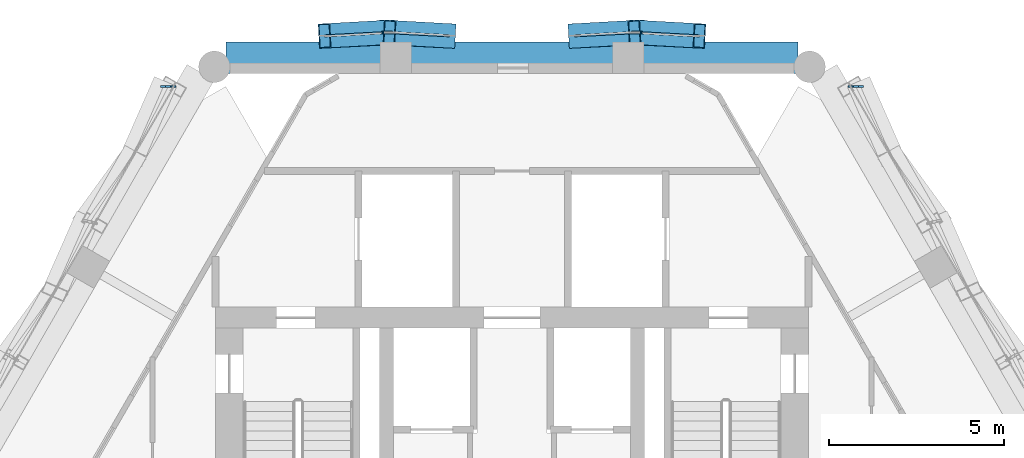
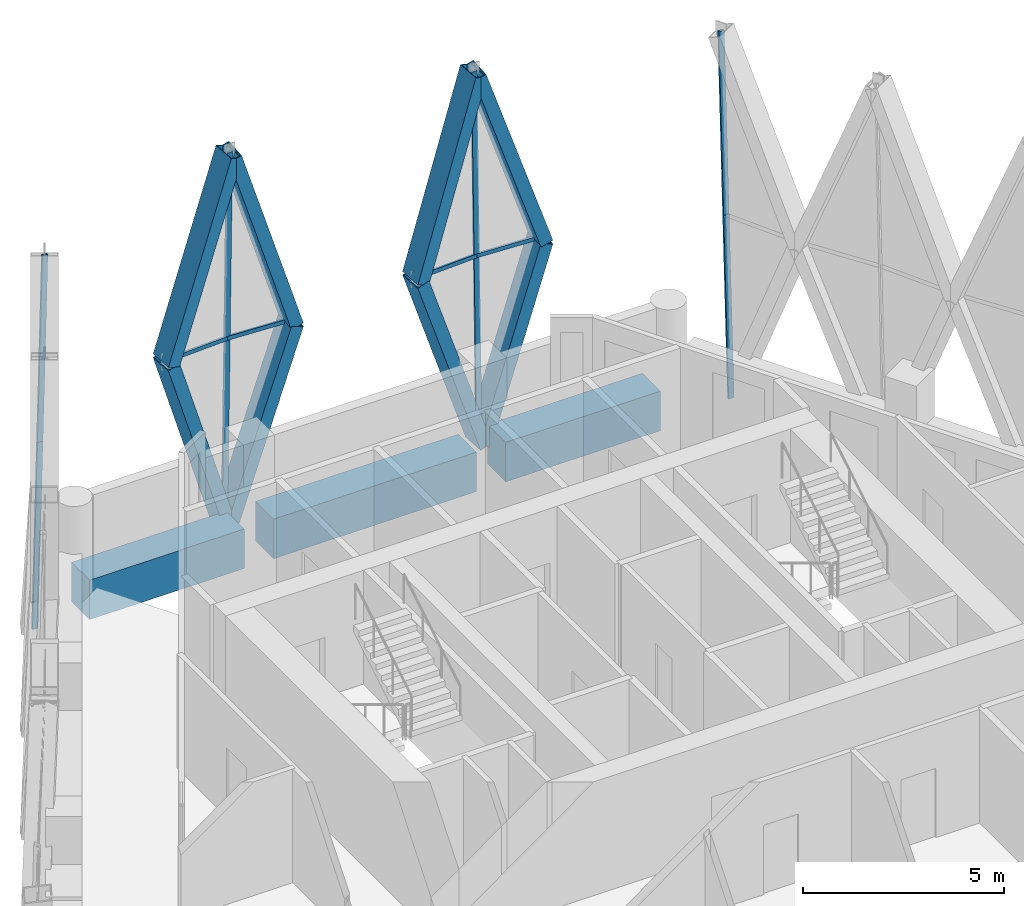
# One storey, part 9 of 21: 20 members, 3 beams, 4 elements without a shape of their own.
"""IFC4 building model written with IfcOpenShell, lengths in metres."""

from ifc_helpers import new_model, si_unit, direction, frame, origin, origin_2d, place, context, subcontext, project, spatial, rectangle, hollow_rectangle, extrude, material, material_profile, profile_set, type_object, element, aggregate, save


model = new_model("IFC4")

# Units and contexts
model_context = context("Model", 3, precision=1e-05, world=origin(), true_north=direction((0.0, 1.0)))
body_context = subcontext(model_context, "Body", "Model", "MODEL_VIEW")
ifc_project = project(units=[si_unit("LENGTHUNIT", "METRE"), si_unit("AREAUNIT", "SQUARE_METRE"), si_unit("VOLUMEUNIT", "CUBIC_METRE"), si_unit("PLANEANGLEUNIT", "RADIAN"), si_unit("MASSUNIT", "GRAM", prefix="KILO")], contexts=[model_context])

# Site, building, storey
site_placement = place(None, origin())
site = spatial("IfcSite", under=ifc_project, at=site_placement, CompositionType="ELEMENT")
building_placement = place(site_placement, origin())
building = spatial("IfcBuilding", under=site, at=building_placement, Name="Ostrander Bayou Hotel Tower", CompositionType="ELEMENT")
storey_placement = place(building_placement, frame((0.0, 0.0, 256.25)))
storey = spatial("IfcBuildingStorey", under=building, at=storey_placement, Name="L63", CompositionType="ELEMENT", Elevation=256.25)

# Curtain wall, members
ifc_material_1 = material(Name="Aluminium and clear glass", Category="aluminium")
curtain_wall_type = type_object("IfcCurtainWallType", Name="CW-LAT lattice glazing", PredefinedType="NOTDEFINED", material=ifc_material_1)
curtain_wall_1_placement = place(storey_placement, origin())
curtain_wall_1 = element("IfcCurtainWall", 1, at=curtain_wall_1_placement, inside=storey, type_object=curtain_wall_type, Name="CW-LAT L63 N 1", PredefinedType="NOTDEFINED")
ifc_material_2 = material(Name="Aluminium", Category="aluminium")
ifc_material_profile_1 = material_profile(ifc_material_2, hollow_rectangle(XDim=0.06005859375, YDim=0.159912109375, WallThickness=0.00390625, at=origin_2d()))
ifc_profile_set_1 = profile_set([ifc_material_profile_1], Name="Aluminium")
member_type_1 = type_object("IfcMemberType", Name="CW-LA mullion 60 x 160 mm", PredefinedType="MULLION", material=ifc_profile_set_1)
member_1_placement = place(storey_placement, frame((3.650390625, 17.570068359375, -0.60009765625), z_axis=(-0.012629201055, 0.0, 0.99992024846), x_axis=(0.0, -1.0, 0.0)))
member_1 = element("IfcMember", 2, at=member_1_placement, type_object=member_type_1, Name="CW-LAT mullion 1", PredefinedType="MULLION", context=body_context, shape_type="SweptSolid", body=[
    extrude(hollow_rectangle(XDim=0.06005859375, YDim=0.159912109375, WallThickness=0.00390625, at=origin_2d()), origin(), (0.0, 0.0, 1.0), 5.62548828125),
])
member_2_placement = place(storey_placement, frame((3.579345703125, 17.570068359375, 5.02490234375), z_axis=(-0.012585808625, 0.0, 0.999920795574), x_axis=(0.0, -1.0, 0.0)))
member_2 = element("IfcMember", 3, at=member_2_placement, type_object=member_type_1, Name="CW-LAT mullion 2", PredefinedType="MULLION", context=body_context, shape_type="SweptSolid", body=[
    extrude(hollow_rectangle(XDim=0.06005859375, YDim=0.159912109375, WallThickness=0.00390625, at=origin_2d()), origin(), (0.0, 0.0, 1.0), 5.62548828125),
])
member_3_placement = place(storey_placement, frame((-3.650390625, 17.570068359375, -0.60009765625), z_axis=(0.012629201055, 0.0, 0.99992024846), x_axis=(0.0, 1.0, 0.0)))
member_3 = element("IfcMember", 4, at=member_3_placement, type_object=member_type_1, Name="CW-LAT mullion 5", PredefinedType="MULLION", context=body_context, shape_type="SweptSolid", body=[
    extrude(hollow_rectangle(XDim=0.06005859375, YDim=0.159912109375, WallThickness=0.00390625, at=origin_2d()), origin(), (0.0, 0.0, 1.0), 5.62548828125),
])
member_4_placement = place(storey_placement, frame((-3.579345703125, 17.570068359375, 5.02490234375), z_axis=(0.012585808625, 0.0, 0.999920795574), x_axis=(0.0, 1.0, 0.0)))
member_4 = element("IfcMember", 5, at=member_4_placement, type_object=member_type_1, Name="CW-LAT mullion 6", PredefinedType="MULLION", context=body_context, shape_type="SweptSolid", body=[
    extrude(hollow_rectangle(XDim=0.06005859375, YDim=0.159912109375, WallThickness=0.00390625, at=origin_2d()), origin(), (0.0, 0.0, 1.0), 5.62548828125),
])
aggregate(curtain_wall_1, [member_1, member_2, member_3, member_4])

curtain_wall_2_placement = place(storey_placement, origin())
curtain_wall_2 = element("IfcCurtainWall", 6, at=curtain_wall_2_placement, inside=storey, type_object=curtain_wall_type, Name="CW-LAT L63 NW 1", PredefinedType="NOTDEFINED")
member_5_placement = place(storey_placement, frame((-9.98779296875, 16.0185546875, -0.60009765625), z_axis=(0.025165638507, 0.0, 0.999683295168), x_axis=(0.0, 1.0, 0.0)))
member_5 = element("IfcMember", 7, at=member_5_placement, type_object=member_type_1, Name="CW-LAT mullion 1", PredefinedType="MULLION", context=body_context, shape_type="SweptSolid", body=[
    extrude(hollow_rectangle(XDim=0.06005859375, YDim=0.159912109375, WallThickness=0.00390625, at=origin_2d()), origin(), (0.0, 0.0, 1.0), 5.626708984375),
])
member_6_placement = place(storey_placement, frame((-9.84619140625, 16.0185546875, 5.02490234375), z_axis=(0.025208999989, 0.0, 0.999682202662), x_axis=(0.0, 1.0, 0.0)))
member_6 = element("IfcMember", 8, at=member_6_placement, type_object=member_type_1, Name="CW-LAT mullion 2", PredefinedType="MULLION", context=body_context, shape_type="SweptSolid", body=[
    extrude(hollow_rectangle(XDim=0.06005859375, YDim=0.159912109375, WallThickness=0.00390625, at=origin_2d()), origin(), (0.0, 0.0, 1.0), 5.626708984375),
])
aggregate(curtain_wall_2, [member_5, member_6])

curtain_wall_3_placement = place(storey_placement, origin())
curtain_wall_3 = element("IfcCurtainWall", 9, at=curtain_wall_3_placement, inside=storey, type_object=curtain_wall_type, Name="CW-LAT L63 NE 1", PredefinedType="NOTDEFINED")
member_7_placement = place(storey_placement, frame((9.98779296875, 16.0185546875, -0.60009765625), z_axis=(-0.025165638507, 0.0, 0.999683295168), x_axis=(0.0, -1.0, 0.0)))
member_7 = element("IfcMember", 10, at=member_7_placement, type_object=member_type_1, Name="CW-LAT mullion 16", PredefinedType="MULLION", context=body_context, shape_type="SweptSolid", body=[
    extrude(hollow_rectangle(XDim=0.06005859375, YDim=0.159912109375, WallThickness=0.00390625, at=origin_2d()), origin(), (0.0, 0.0, 1.0), 5.626708984375),
])
member_8_placement = place(storey_placement, frame((9.84619140625, 16.0185546875, 5.02490234375), z_axis=(-0.025208999989, 0.0, 0.999682202662), x_axis=(0.0, -1.0, 0.0)))
member_8 = element("IfcMember", 11, at=member_8_placement, type_object=member_type_1, Name="CW-LAT mullion 17", PredefinedType="MULLION", context=body_context, shape_type="SweptSolid", body=[
    extrude(hollow_rectangle(XDim=0.06005859375, YDim=0.159912109375, WallThickness=0.00390625, at=origin_2d()), origin(), (0.0, 0.0, 1.0), 5.626708984375),
])
aggregate(curtain_wall_3, [member_7, member_8])

curtain_wall_4_placement = place(storey_placement, origin())
curtain_wall_4 = element("IfcCurtainWall", 12, at=curtain_wall_4_placement, inside=storey, type_object=curtain_wall_type, Name="CW-LAT L63 N 2", PredefinedType="NOTDEFINED")
ifc_material_3 = material(Name="Aluminium", Category="aluminium")
ifc_material_profile_2 = material_profile(ifc_material_3, hollow_rectangle(XDim=0.06005859375, YDim=0.1201171875, WallThickness=0.00390625, at=origin_2d()))
ifc_profile_set_2 = profile_set([ifc_material_profile_2], Name="Aluminium")
member_type_2 = type_object("IfcMemberType", Name="CW-LA transom 60 x 120 mm", PredefinedType="USERDEFINED", material=ifc_profile_set_2)
member_9_placement = place(storey_placement, frame((3.579345703125, 17.570068359375, 5.02490234375), z_axis=(0.998573454546, -0.053395279523, 0.0), x_axis=(0.053395279523, 0.998573454546, 0.0)))
member_9 = element("IfcMember", 13, at=member_9_placement, type_object=member_type_2, Name="CW-LAT transom 3", ObjectType="TRANSOM", PredefinedType="USERDEFINED", context=body_context, shape_type="SweptSolid", body=[
    extrude(hollow_rectangle(XDim=0.06005859375, YDim=0.1201171875, WallThickness=0.00390625, at=origin_2d()), origin(), (0.0, 0.0, 1.0), 1.792236328125),
])
member_10_placement = place(storey_placement, frame((3.579345703125, 17.570068359375, 5.02490234375), z_axis=(-0.998573066118, -0.053402543236, 0.0), x_axis=(0.053402543236, -0.998573066118, 0.0)))
member_10 = element("IfcMember", 14, at=member_10_placement, type_object=member_type_2, Name="CW-LAT transom 4", ObjectType="TRANSOM", PredefinedType="USERDEFINED", context=body_context, shape_type="SweptSolid", body=[
    extrude(hollow_rectangle(XDim=0.06005859375, YDim=0.1201171875, WallThickness=0.00390625, at=origin_2d()), origin(), (0.0, 0.0, 1.0), 1.7919921875),
])
member_11_placement = place(storey_placement, frame((-3.579345703125, 17.570068359375, 5.02490234375), z_axis=(0.998573066118, -0.053402543236, 0.0), x_axis=(0.053402543236, 0.998573066118, 0.0)))
member_11 = element("IfcMember", 15, at=member_11_placement, type_object=member_type_2, Name="CW-LAT transom 7", ObjectType="TRANSOM", PredefinedType="USERDEFINED", context=body_context, shape_type="SweptSolid", body=[
    extrude(hollow_rectangle(XDim=0.06005859375, YDim=0.1201171875, WallThickness=0.00390625, at=origin_2d()), origin(), (0.0, 0.0, 1.0), 1.7919921875),
])
member_12_placement = place(storey_placement, frame((-3.579345703125, 17.570068359375, 5.02490234375), z_axis=(-0.998573454546, -0.053395279523, 0.0), x_axis=(0.053395279523, -0.998573454546, 0.0)))
member_12 = element("IfcMember", 16, at=member_12_placement, type_object=member_type_2, Name="CW-LAT transom 8", ObjectType="TRANSOM", PredefinedType="USERDEFINED", context=body_context, shape_type="SweptSolid", body=[
    extrude(hollow_rectangle(XDim=0.06005859375, YDim=0.1201171875, WallThickness=0.00390625, at=origin_2d()), origin(), (0.0, 0.0, 1.0), 1.792236328125),
])
aggregate(curtain_wall_4, [member_9, member_10, member_11, member_12])

# Members
ifc_material_4 = material(Name="Steel ASTM A572 Gr 50", Category="steel")
ifc_material_profile_3 = material_profile(ifc_material_4, hollow_rectangle(XDim=0.699951171875, YDim=0.35009765625, WallThickness=0.02490234375, at=origin_2d()))
ifc_profile_set_3 = profile_set([ifc_material_profile_3], Name="Steel ASTM A572 Gr 50")
member_type_3 = type_object("IfcMemberType", Name="LT1 lattice member box 700 x 350 x 25 mm", PredefinedType="BRACE", material=ifc_profile_set_3)
member_13_placement = place(storey_placement, frame((5.369140625, 17.474365234375, 5.02490234375), z_axis=(-0.292179860283, 0.016269105857, -0.956224997289), x_axis=(-0.055595698627, -0.998453363104, 0.0)))
element("IfcMember", 17, at=member_13_placement, inside=storey, type_object=member_type_3, Name="LT1 L63 N 1", PredefinedType="BRACE", context=body_context, shape_type="SweptSolid", body=[
    extrude(hollow_rectangle(XDim=0.699951171875, YDim=0.35009765625, WallThickness=0.02490234375, at=origin_2d()), origin(), (0.0, 0.0, 1.0), 5.882568359375),
])
for number, where, z_axis, x_axis, name in (
    (18, (5.369140625, 17.474365234375, 5.02490234375), (-0.313997869011, 0.016151051654, 0.949286301274), (-0.05136890965, -0.998679746025, 0.0), "LT1 L63 N 2"),
    (19, (1.789794921875, 17.474365234375, 5.02490234375), (0.313997869011, 0.016151051654, -0.949286301274), (-0.05136890965, 0.998679746025, 0.0), "LT1 L63 N 3"),
):
    element("IfcMember", number, at=place(storey_placement, frame(where, z_axis=z_axis, x_axis=x_axis)), inside=storey, type_object=member_type_3, Name=name, PredefinedType="BRACE", context=body_context, shape_type="SweptSolid", body=[
        extrude(hollow_rectangle(XDim=0.699951171875, YDim=0.35009765625, WallThickness=0.02490234375, at=origin_2d()), origin(), (0.0, 0.0, 1.0), 5.925537109375),
    ])
member_14_placement = place(storey_placement, frame((1.789794921875, 17.474365234375, 5.02490234375), z_axis=(0.292179860283, 0.016269105857, 0.956224997289), x_axis=(-0.055595698627, 0.998453363104, 0.0)))
element("IfcMember", 20, at=member_14_placement, inside=storey, type_object=member_type_3, Name="LT1 L63 N 4", PredefinedType="BRACE", context=body_context, shape_type="SweptSolid", body=[
    extrude(hollow_rectangle(XDim=0.699951171875, YDim=0.35009765625, WallThickness=0.02490234375, at=origin_2d()), origin(), (0.0, 0.0, 1.0), 5.882568359375),
])
member_15_placement = place(storey_placement, frame((-1.789794921875, 17.474365234375, 5.02490234375), z_axis=(-0.313997869011, 0.016151051654, -0.949286301274), x_axis=(-0.05136890965, -0.998679746025, 0.0)))
element("IfcMember", 21, at=member_15_placement, inside=storey, type_object=member_type_3, Name="LT1 L63 N 5", PredefinedType="BRACE", context=body_context, shape_type="SweptSolid", body=[
    extrude(hollow_rectangle(XDim=0.699951171875, YDim=0.35009765625, WallThickness=0.02490234375, at=origin_2d()), origin(), (0.0, 0.0, 1.0), 5.925537109375),
])
for number, where, z_axis, x_axis, name in (
    (22, (-1.789794921875, 17.474365234375, 5.02490234375), (-0.292179860283, 0.016269105857, 0.956224997289), (-0.055595698627, -0.998453363104, 0.0), "LT1 L63 N 6"),
    (23, (-5.369140625, 17.474365234375, 5.02490234375), (0.292179860283, 0.016269105857, -0.956224997289), (-0.055595698627, 0.998453363104, 0.0), "LT1 L63 N 7"),
):
    element("IfcMember", number, at=place(storey_placement, frame(where, z_axis=z_axis, x_axis=x_axis)), inside=storey, type_object=member_type_3, Name=name, PredefinedType="BRACE", context=body_context, shape_type="SweptSolid", body=[
        extrude(hollow_rectangle(XDim=0.699951171875, YDim=0.35009765625, WallThickness=0.02490234375, at=origin_2d()), origin(), (0.0, 0.0, 1.0), 5.882568359375),
    ])
member_16_placement = place(storey_placement, frame((-5.369140625, 17.474365234375, 5.02490234375), z_axis=(0.313997869011, 0.016151051654, 0.949286301274), x_axis=(-0.05136890965, 0.998679746025, 0.0)))
element("IfcMember", 24, at=member_16_placement, inside=storey, type_object=member_type_3, Name="LT1 L63 N 8", PredefinedType="BRACE", context=body_context, shape_type="SweptSolid", body=[
    extrude(hollow_rectangle(XDim=0.699951171875, YDim=0.35009765625, WallThickness=0.02490234375, at=origin_2d()), origin(), (0.0, 0.0, 1.0), 5.925537109375),
])

# Beams
ifc_material_5 = material(Name="Concrete f'c 60 MPa", Category="concrete")
ifc_material_profile_4 = material_profile(ifc_material_5, rectangle(XDim=0.89990234375, YDim=1.199951171875, at=origin_2d()))
ifc_profile_set_4 = profile_set([ifc_material_profile_4], Name="Concrete f'c 60 MPa")
beam_type = type_object("IfcBeamType", Name="SP4 spandrel beam 900 x 1200 mm f'c 60 MPa", PredefinedType="SPANDREL", material=ifc_profile_set_4)
beam_1_placement = place(storey_placement, frame((8.189208984375, 16.85009765625, -0.60009765625), z_axis=(-1.0, 0.0, 0.0), x_axis=(0.0, -1.0, 0.0)))
element("IfcBeam", 25, at=beam_1_placement, inside=storey, type_object=beam_type, Name="SP4 L63 N-1", PredefinedType="SPANDREL", context=body_context, shape_type="SweptSolid", body=[
    extrude(rectangle(XDim=0.89990234375, YDim=1.199951171875, at=origin_2d()), origin(), (0.0, 0.0, 1.0), 4.439697265625),
])
beam_2_placement = place(storey_placement, frame((2.909423828125, 16.85009765625, -0.60009765625), z_axis=(-1.0, 0.0, 0.0), x_axis=(0.0, -1.0, 0.0)))
element("IfcBeam", 26, at=beam_2_placement, inside=storey, type_object=beam_type, Name="SP4 L63 N-2", PredefinedType="SPANDREL", context=body_context, shape_type="SweptSolid", body=[
    extrude(rectangle(XDim=0.89990234375, YDim=1.199951171875, at=origin_2d()), origin(), (0.0, 0.0, 1.0), 5.81884765625),
])
beam_3_placement = place(storey_placement, frame((-3.74951171875, 16.85009765625, -0.60009765625), z_axis=(-1.0, 0.0, 0.0), x_axis=(0.0, -1.0, 0.0)))
element("IfcBeam", 27, at=beam_3_placement, inside=storey, type_object=beam_type, Name="SP4 L63 N-3", PredefinedType="SPANDREL", context=body_context, shape_type="SweptSolid", body=[
    extrude(rectangle(XDim=0.89990234375, YDim=1.199951171875, at=origin_2d()), origin(), (0.0, 0.0, 1.0), 4.439697265625),
])

save(model, "model.ifc")
